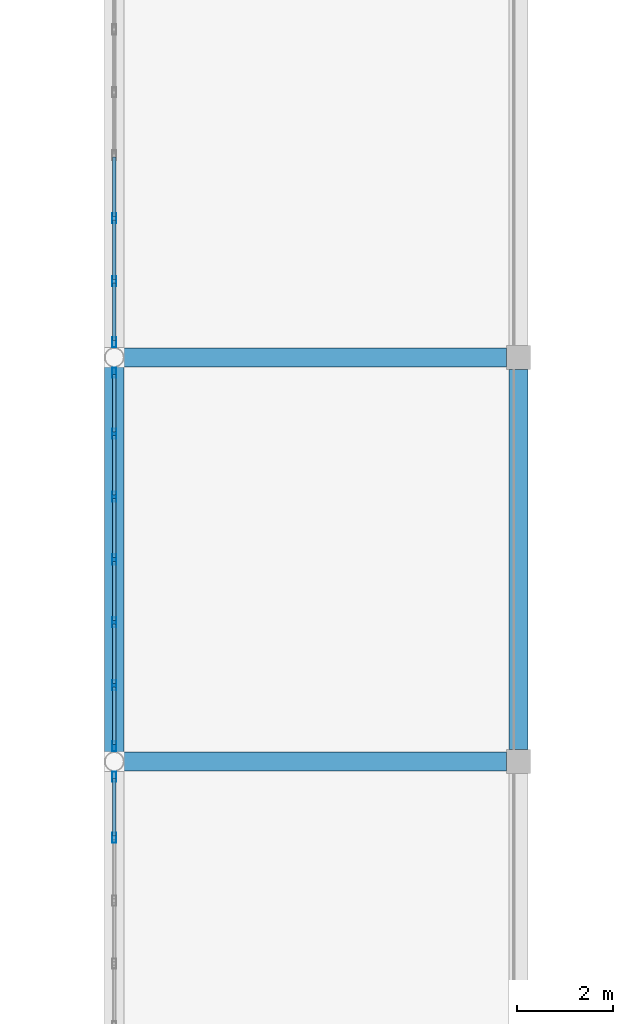
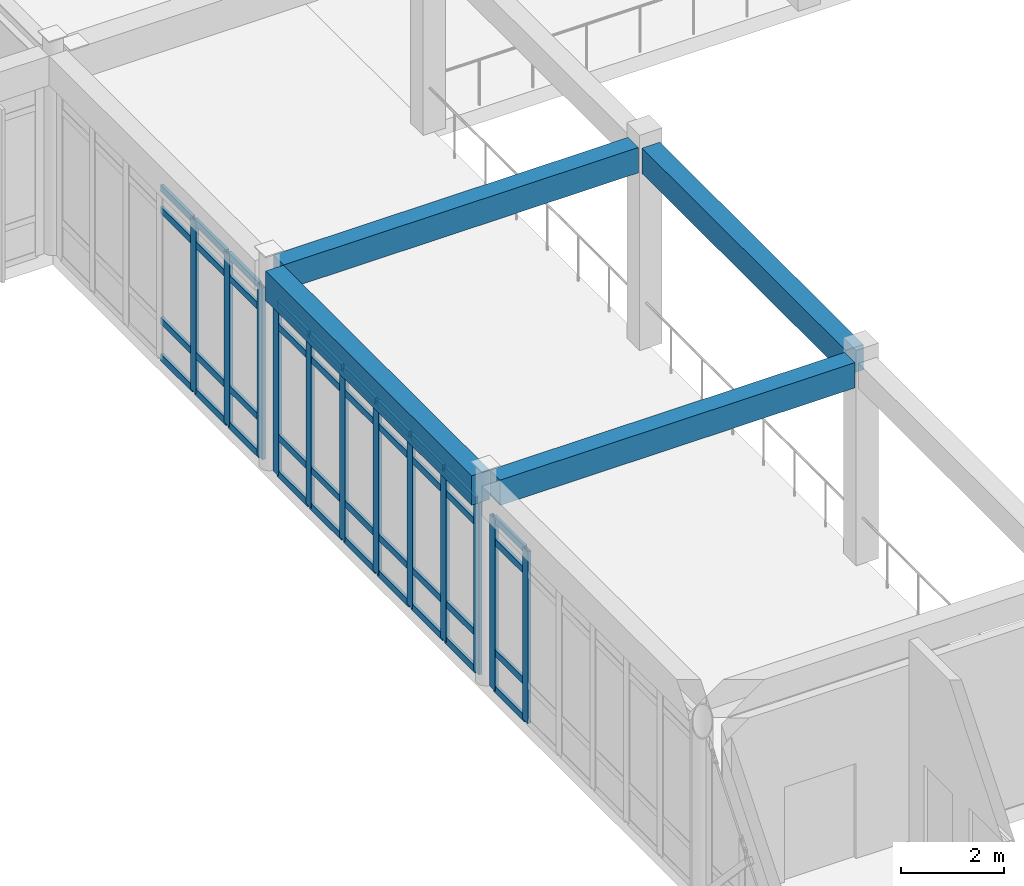
# One storey, part 14 of 134: 52 members, 4 beams, 3 elements without a shape of their own.
"""IFC4 building model written with IfcOpenShell, lengths in metres."""

from ifc_helpers import new_model, si_unit, direction, frame, origin, origin_2d, place, context, subcontext, project, spatial, rectangle, hollow_rectangle, extrude, material, layer, layer_set, material_profile, profile_set, type_object, element, aggregate, save


model = new_model("IFC4")

# Units and contexts
model_context = context("Model", 3, precision=1e-05, world=origin(), true_north=direction((0.0, 1.0)))
body_context = subcontext(model_context, "Body", "Model", "MODEL_VIEW")
ifc_project = project(units=[si_unit("LENGTHUNIT", "METRE"), si_unit("AREAUNIT", "SQUARE_METRE"), si_unit("VOLUMEUNIT", "CUBIC_METRE"), si_unit("PLANEANGLEUNIT", "RADIAN"), si_unit("MASSUNIT", "GRAM", prefix="KILO")], contexts=[model_context])

# Site, building, storey
site_placement = place(None, origin())
site = spatial("IfcSite", under=ifc_project, at=site_placement, CompositionType="ELEMENT")
building_placement = place(site_placement, origin())
building = spatial("IfcBuilding", under=site, at=building_placement, Name="Bramfleet General Hospital", CompositionType="ELEMENT")
storey_placement = place(building_placement, frame((0.0, 0.0, 9.300048828125)))
storey = spatial("IfcBuildingStorey", under=building, at=storey_placement, Name="L02", CompositionType="ELEMENT", Elevation=9.300048828125)

# Beams
ifc_material_1 = material(Name="Concrete C35/45", Category="concrete")
ifc_material_profile_1 = material_profile(ifc_material_1, rectangle(XDim=0.39990234375, YDim=0.60009765625, at=origin_2d()), Name="RC BM 600x400")
ifc_profile_set_1 = profile_set([ifc_material_profile_1], Name="Concrete C35/45")
beam_type_1 = type_object("IfcBeamType", Name="BM-RC600", PredefinedType="BEAM", material=ifc_profile_set_1)
for number, where, z_axis, x_axis, name in (
    (1, (50.603271484375, 33.60009765625, 4.47998046875), (1.0, 0.0, 0.0), (0.0, 1.0, 0.0), "L02 Grid Beam X 06-04"),
    (2, (50.603271484375, 42.0, 4.47998046875), (1.0, 0.0, 0.0), (0.0, 1.0, 0.0), "L02 Grid Beam X 06-05"),
):
    element("IfcBeam", number, at=place(storey_placement, frame(where, z_axis=z_axis, x_axis=x_axis)), inside=storey, type_object=beam_type_1, Name=name, PredefinedType="BEAM", context=body_context, shape_type="SweptSolid", body=[
        extrude(rectangle(XDim=0.39990234375, YDim=0.60009765625, at=origin_2d()), origin(), (0.0, 0.0, 1.0), 7.94677734375),
    ])
beam_1_placement = place(storey_placement, frame((58.800048828125, 33.85009765625, 4.47998046875), z_axis=(0.0, 1.0, 0.0), x_axis=(-1.0, 0.0, 0.0)))
element("IfcBeam", 3, at=beam_1_placement, inside=storey, type_object=beam_type_1, Name="L02 Grid Beam Y 07-04", PredefinedType="BEAM", context=body_context, shape_type="SweptSolid", body=[
    extrude(rectangle(XDim=0.39990234375, YDim=0.60009765625, at=origin_2d()), origin(), (0.0, 0.0, 1.0), 7.89990234375),
])
ifc_material_profile_2 = material_profile(ifc_material_1, rectangle(XDim=0.39990234375, YDim=0.699951171875, at=origin_2d()), Name="RC SP 700x400")
ifc_profile_set_2 = profile_set([ifc_material_profile_2], Name="Concrete C35/45")
beam_type_2 = type_object("IfcBeamType", Name="BM-SP700", PredefinedType="SPANDREL", material=ifc_profile_set_2)
beam_2_placement = place(storey_placement, frame((50.39990234375, 33.80322265625, 4.429931640625), z_axis=(0.0, 1.0, 0.0), x_axis=(-1.0, 0.0, 0.0)))
element("IfcBeam", 4, at=beam_2_placement, inside=storey, type_object=beam_type_2, Name="L02 Grid Beam Y 06-04", PredefinedType="SPANDREL", context=body_context, shape_type="SweptSolid", body=[
    extrude(rectangle(XDim=0.39990234375, YDim=0.699951171875, at=origin_2d()), origin(), (0.0, 0.0, 1.0), 7.99365234375),
])

# Curtain wall, members
ifc_material_2 = material(Name="Anodised aluminium and low-E triple glazing", Category="aluminium")
ifc_layer_1 = layer(ifc_material_2, 0.179931640625, Name="CWT-CW-09")
ifc_layer_set_1 = layer_set([ifc_layer_1], Name="Anodised aluminium and low-E triple glazing")
curtain_wall_type_1 = type_object("IfcCurtainWallType", Name="CWT-CW-09", PredefinedType="USERDEFINED", material=ifc_layer_set_1)
curtain_wall_1_placement = place(storey_placement, origin())
curtain_wall_1 = element("IfcCurtainWall", 5, at=curtain_wall_1_placement, inside=storey, type_object=curtain_wall_type_1, Name="L02 Curtain Wall 135", ObjectType="Unitised curtain wall", PredefinedType="USERDEFINED")
ifc_material_3 = material(Name="Anodised aluminium EN AW-6060", Category="aluminium")
ifc_material_profile_3 = material_profile(ifc_material_3, hollow_rectangle(XDim=0.074951171875, YDim=0.2099609375, WallThickness=0.00439453125, at=origin_2d()), Name="ALU 210x75x4.5")
ifc_profile_set_3 = profile_set([ifc_material_profile_3], Name="Anodised aluminium EN AW-6060")
member_type_1 = type_object("IfcMemberType", Name="CWM-ALU210", PredefinedType="MULLION", material=ifc_profile_set_3)
member_1_placement = place(storey_placement, frame((50.39990234375, 32.0146484375, 0.0), z_axis=(0.0, 0.0, 1.0), x_axis=(-1.0, 0.0, 0.0)))
member_1 = element("IfcMember", 6, at=member_1_placement, type_object=member_type_1, Name="CW-09 mullion 6", PredefinedType="MULLION", context=body_context, shape_type="SweptSolid", body=[
    extrude(hollow_rectangle(XDim=0.074951171875, YDim=0.2099609375, WallThickness=0.00439453125, at=origin_2d()), origin(), (0.0, 0.0, 1.0), 4.070068359375),
])
member_2_placement = place(storey_placement, frame((50.39990234375, 33.284423828125, 0.0), z_axis=(0.0, 0.0, 1.0), x_axis=(-1.0, 0.0, 0.0)))
member_2 = element("IfcMember", 7, at=member_2_placement, type_object=member_type_1, Name="CW-09 mullion 7", PredefinedType="MULLION", context=body_context, shape_type="SweptSolid", body=[
    extrude(hollow_rectangle(XDim=0.074951171875, YDim=0.2099609375, WallThickness=0.00439453125, at=origin_2d()), origin(), (0.0, 0.0, 1.0), 4.070068359375),
])

ifc_layer_2 = layer(ifc_material_2, 0.179931640625, Name="CWT-CW-10")
ifc_layer_set_2 = layer_set([ifc_layer_2], Name="Anodised aluminium and low-E triple glazing")
curtain_wall_type_2 = type_object("IfcCurtainWallType", Name="CWT-CW-10", PredefinedType="USERDEFINED", material=ifc_layer_set_2)
curtain_wall_2_placement = place(storey_placement, origin())
curtain_wall_2 = element("IfcCurtainWall", 8, at=curtain_wall_2_placement, inside=storey, type_object=curtain_wall_type_2, Name="L02 Curtain Wall 136", ObjectType="Stick curtain wall", PredefinedType="USERDEFINED")
member_3_placement = place(storey_placement, frame((50.39990234375, 33.91552734375, 0.0), z_axis=(0.0, 0.0, 1.0), x_axis=(-1.0, 0.0, 0.0)))
member_3 = element("IfcMember", 9, at=member_3_placement, type_object=member_type_1, Name="CW-10 mullion 1", PredefinedType="MULLION", context=body_context, shape_type="SweptSolid", body=[
    extrude(hollow_rectangle(XDim=0.074951171875, YDim=0.2099609375, WallThickness=0.00439453125, at=origin_2d()), origin(), (0.0, 0.0, 1.0), 4.070068359375),
])
member_4_placement = place(storey_placement, frame((50.39990234375, 35.185302734375, 0.0), z_axis=(0.0, 0.0, 1.0), x_axis=(-1.0, 0.0, 0.0)))
member_4 = element("IfcMember", 10, at=member_4_placement, type_object=member_type_1, Name="CW-10 mullion 2", PredefinedType="MULLION", context=body_context, shape_type="SweptSolid", body=[
    extrude(hollow_rectangle(XDim=0.074951171875, YDim=0.2099609375, WallThickness=0.00439453125, at=origin_2d()), origin(), (0.0, 0.0, 1.0), 4.070068359375),
])
member_5_placement = place(storey_placement, frame((50.39990234375, 36.49267578125, 0.0), z_axis=(0.0, 0.0, 1.0), x_axis=(-1.0, 0.0, 0.0)))
member_5 = element("IfcMember", 11, at=member_5_placement, type_object=member_type_1, Name="CW-10 mullion 3", PredefinedType="MULLION", context=body_context, shape_type="SweptSolid", body=[
    extrude(hollow_rectangle(XDim=0.074951171875, YDim=0.2099609375, WallThickness=0.00439453125, at=origin_2d()), origin(), (0.0, 0.0, 1.0), 4.070068359375),
])
member_6_placement = place(storey_placement, frame((50.39990234375, 37.800048828125, 0.0), z_axis=(0.0, 0.0, 1.0), x_axis=(-1.0, 0.0, 0.0)))
member_6 = element("IfcMember", 12, at=member_6_placement, type_object=member_type_1, Name="CW-10 mullion 4", PredefinedType="MULLION", context=body_context, shape_type="SweptSolid", body=[
    extrude(hollow_rectangle(XDim=0.074951171875, YDim=0.2099609375, WallThickness=0.00439453125, at=origin_2d()), origin(), (0.0, 0.0, 1.0), 4.070068359375),
])
member_7_placement = place(storey_placement, frame((50.39990234375, 39.107421875, 0.0), z_axis=(0.0, 0.0, 1.0), x_axis=(-1.0, 0.0, 0.0)))
member_7 = element("IfcMember", 13, at=member_7_placement, type_object=member_type_1, Name="CW-10 mullion 5", PredefinedType="MULLION", context=body_context, shape_type="SweptSolid", body=[
    extrude(hollow_rectangle(XDim=0.074951171875, YDim=0.2099609375, WallThickness=0.00439453125, at=origin_2d()), origin(), (0.0, 0.0, 1.0), 4.070068359375),
])
member_8_placement = place(storey_placement, frame((50.39990234375, 40.41455078125, 0.0), z_axis=(0.0, 0.0, 1.0), x_axis=(-1.0, 0.0, 0.0)))
member_8 = element("IfcMember", 14, at=member_8_placement, type_object=member_type_1, Name="CW-10 mullion 6", PredefinedType="MULLION", context=body_context, shape_type="SweptSolid", body=[
    extrude(hollow_rectangle(XDim=0.074951171875, YDim=0.2099609375, WallThickness=0.00439453125, at=origin_2d()), origin(), (0.0, 0.0, 1.0), 4.070068359375),
])
member_9_placement = place(storey_placement, frame((50.39990234375, 41.6845703125, 0.0), z_axis=(0.0, 0.0, 1.0), x_axis=(-1.0, 0.0, 0.0)))
member_9 = element("IfcMember", 15, at=member_9_placement, type_object=member_type_1, Name="CW-10 mullion 7", PredefinedType="MULLION", context=body_context, shape_type="SweptSolid", body=[
    extrude(hollow_rectangle(XDim=0.074951171875, YDim=0.2099609375, WallThickness=0.00439453125, at=origin_2d()), origin(), (0.0, 0.0, 1.0), 4.070068359375),
])

ifc_layer_3 = layer(ifc_material_2, 0.179931640625, Name="CWT-CW-11")
ifc_layer_set_3 = layer_set([ifc_layer_3], Name="Anodised aluminium and low-E triple glazing")
curtain_wall_type_3 = type_object("IfcCurtainWallType", Name="CWT-CW-11", PredefinedType="USERDEFINED", material=ifc_layer_set_3)
curtain_wall_3_placement = place(storey_placement, origin())
curtain_wall_3 = element("IfcCurtainWall", 16, at=curtain_wall_3_placement, inside=storey, type_object=curtain_wall_type_3, Name="L02 Curtain Wall 137", ObjectType="Stick curtain wall", PredefinedType="USERDEFINED")
member_10_placement = place(storey_placement, frame((50.39990234375, 42.3154296875, 0.0), z_axis=(0.0, 0.0, 1.0), x_axis=(-1.0, 0.0, 0.0)))
member_10 = element("IfcMember", 17, at=member_10_placement, type_object=member_type_1, Name="CW-11 mullion 1", PredefinedType="MULLION", context=body_context, shape_type="SweptSolid", body=[
    extrude(hollow_rectangle(XDim=0.074951171875, YDim=0.2099609375, WallThickness=0.00439453125, at=origin_2d()), origin(), (0.0, 0.0, 1.0), 4.070068359375),
])
member_11_placement = place(storey_placement, frame((50.39990234375, 43.58544921875, 0.0), z_axis=(0.0, 0.0, 1.0), x_axis=(-1.0, 0.0, 0.0)))
member_11 = element("IfcMember", 18, at=member_11_placement, type_object=member_type_1, Name="CW-11 mullion 2", PredefinedType="MULLION", context=body_context, shape_type="SweptSolid", body=[
    extrude(hollow_rectangle(XDim=0.074951171875, YDim=0.2099609375, WallThickness=0.00439453125, at=origin_2d()), origin(), (0.0, 0.0, 1.0), 4.070068359375),
])
member_12_placement = place(storey_placement, frame((50.39990234375, 44.892578125, 0.0), z_axis=(0.0, 0.0, 1.0), x_axis=(-1.0, 0.0, 0.0)))
member_12 = element("IfcMember", 19, at=member_12_placement, type_object=member_type_1, Name="CW-11 mullion 3", PredefinedType="MULLION", context=body_context, shape_type="SweptSolid", body=[
    extrude(hollow_rectangle(XDim=0.074951171875, YDim=0.2099609375, WallThickness=0.00439453125, at=origin_2d()), origin(), (0.0, 0.0, 1.0), 4.070068359375),
])

# Member
ifc_material_profile_4 = material_profile(ifc_material_3, hollow_rectangle(XDim=0.06494140625, YDim=0.159912109375, WallThickness=0.00390625, at=origin_2d()), Name="ALU 160x65x4.0")
ifc_profile_set_4 = profile_set([ifc_material_profile_4], Name="Anodised aluminium EN AW-6060")
member_type_2 = type_object("IfcMemberType", Name="CWT-ALU160", PredefinedType="USERDEFINED", material=ifc_profile_set_4)
member_13_placement = place(storey_placement, frame((50.39990234375, 32.05224609375, 0.032470703125), z_axis=(0.0, 1.0, 0.0), x_axis=(-1.0, 0.0, 0.0)))
member_13 = element("IfcMember", 20, at=member_13_placement, type_object=member_type_2, Name="CW-09 transom 6.1", ObjectType="TRANSOM", PredefinedType="USERDEFINED", context=body_context, shape_type="SweptSolid", body=[
    extrude(hollow_rectangle(XDim=0.06494140625, YDim=0.159912109375, WallThickness=0.00390625, at=origin_2d()), origin(), (0.0, 0.0, 1.0), 1.19482421875),
])

member_14_placement = place(storey_placement, frame((50.39990234375, 32.05224609375, 0.89990234375), z_axis=(0.0, 1.0, 0.0), x_axis=(-1.0, 0.0, 0.0)))
member_14 = element("IfcMember", 21, at=member_14_placement, type_object=member_type_2, Name="CW-09 transom 6.2", ObjectType="TRANSOM", PredefinedType="USERDEFINED", context=body_context, shape_type="SweptSolid", body=[
    extrude(hollow_rectangle(XDim=0.06494140625, YDim=0.159912109375, WallThickness=0.00390625, at=origin_2d()), origin(), (0.0, 0.0, 1.0), 1.19482421875),
])

member_15_placement = place(storey_placement, frame((50.39990234375, 32.05224609375, 3.52001953125), z_axis=(0.0, 1.0, 0.0), x_axis=(-1.0, 0.0, 0.0)))
member_15 = element("IfcMember", 22, at=member_15_placement, type_object=member_type_2, Name="CW-09 transom 6.3", ObjectType="TRANSOM", PredefinedType="USERDEFINED", context=body_context, shape_type="SweptSolid", body=[
    extrude(hollow_rectangle(XDim=0.06494140625, YDim=0.159912109375, WallThickness=0.00390625, at=origin_2d()), origin(), (0.0, 0.0, 1.0), 1.19482421875),
])

member_16_placement = place(storey_placement, frame((50.39990234375, 32.05224609375, 4.037353515625), z_axis=(0.0, 1.0, 0.0), x_axis=(-1.0, 0.0, 0.0)))
member_16 = element("IfcMember", 23, at=member_16_placement, type_object=member_type_2, Name="CW-09 transom 6.4", ObjectType="TRANSOM", PredefinedType="USERDEFINED", context=body_context, shape_type="SweptSolid", body=[
    extrude(hollow_rectangle(XDim=0.06494140625, YDim=0.159912109375, WallThickness=0.00390625, at=origin_2d()), origin(), (0.0, 0.0, 1.0), 1.19482421875),
])

aggregate(curtain_wall_1, [member_1, member_2, member_13, member_14, member_15, member_16])

member_17_placement = place(storey_placement, frame((50.39990234375, 33.952880859375, 0.032470703125), z_axis=(0.0, 1.0, 0.0), x_axis=(-1.0, 0.0, 0.0)))
member_17 = element("IfcMember", 24, at=member_17_placement, type_object=member_type_2, Name="CW-10 transom 1.1", ObjectType="TRANSOM", PredefinedType="USERDEFINED", context=body_context, shape_type="SweptSolid", body=[
    extrude(hollow_rectangle(XDim=0.06494140625, YDim=0.159912109375, WallThickness=0.00390625, at=origin_2d()), origin(), (0.0, 0.0, 1.0), 1.195068359375),
])

member_18_placement = place(storey_placement, frame((50.39990234375, 33.952880859375, 0.89990234375), z_axis=(0.0, 1.0, 0.0), x_axis=(-1.0, 0.0, 0.0)))
member_18 = element("IfcMember", 25, at=member_18_placement, type_object=member_type_2, Name="CW-10 transom 1.2", ObjectType="TRANSOM", PredefinedType="USERDEFINED", context=body_context, shape_type="SweptSolid", body=[
    extrude(hollow_rectangle(XDim=0.06494140625, YDim=0.159912109375, WallThickness=0.00390625, at=origin_2d()), origin(), (0.0, 0.0, 1.0), 1.195068359375),
])

member_19_placement = place(storey_placement, frame((50.39990234375, 33.952880859375, 3.52001953125), z_axis=(0.0, 1.0, 0.0), x_axis=(-1.0, 0.0, 0.0)))
member_19 = element("IfcMember", 26, at=member_19_placement, type_object=member_type_2, Name="CW-10 transom 1.3", ObjectType="TRANSOM", PredefinedType="USERDEFINED", context=body_context, shape_type="SweptSolid", body=[
    extrude(hollow_rectangle(XDim=0.06494140625, YDim=0.159912109375, WallThickness=0.00390625, at=origin_2d()), origin(), (0.0, 0.0, 1.0), 1.195068359375),
])

member_20_placement = place(storey_placement, frame((50.39990234375, 33.952880859375, 4.037353515625), z_axis=(0.0, 1.0, 0.0), x_axis=(-1.0, 0.0, 0.0)))
member_20 = element("IfcMember", 27, at=member_20_placement, type_object=member_type_2, Name="CW-10 transom 1.4", ObjectType="TRANSOM", PredefinedType="USERDEFINED", context=body_context, shape_type="SweptSolid", body=[
    extrude(hollow_rectangle(XDim=0.06494140625, YDim=0.159912109375, WallThickness=0.00390625, at=origin_2d()), origin(), (0.0, 0.0, 1.0), 1.195068359375),
])

member_21_placement = place(storey_placement, frame((50.39990234375, 35.222900390625, 0.032470703125), z_axis=(0.0, 1.0, 0.0), x_axis=(-1.0, 0.0, 0.0)))
member_21 = element("IfcMember", 28, at=member_21_placement, type_object=member_type_2, Name="CW-10 transom 2.1", ObjectType="TRANSOM", PredefinedType="USERDEFINED", context=body_context, shape_type="SweptSolid", body=[
    extrude(hollow_rectangle(XDim=0.06494140625, YDim=0.159912109375, WallThickness=0.00390625, at=origin_2d()), origin(), (0.0, 0.0, 1.0), 1.232177734375),
])

member_22_placement = place(storey_placement, frame((50.39990234375, 35.222900390625, 0.89990234375), z_axis=(0.0, 1.0, 0.0), x_axis=(-1.0, 0.0, 0.0)))
member_22 = element("IfcMember", 29, at=member_22_placement, type_object=member_type_2, Name="CW-10 transom 2.2", ObjectType="TRANSOM", PredefinedType="USERDEFINED", context=body_context, shape_type="SweptSolid", body=[
    extrude(hollow_rectangle(XDim=0.06494140625, YDim=0.159912109375, WallThickness=0.00390625, at=origin_2d()), origin(), (0.0, 0.0, 1.0), 1.232177734375),
])

member_23_placement = place(storey_placement, frame((50.39990234375, 35.222900390625, 3.52001953125), z_axis=(0.0, 1.0, 0.0), x_axis=(-1.0, 0.0, 0.0)))
member_23 = element("IfcMember", 30, at=member_23_placement, type_object=member_type_2, Name="CW-10 transom 2.3", ObjectType="TRANSOM", PredefinedType="USERDEFINED", context=body_context, shape_type="SweptSolid", body=[
    extrude(hollow_rectangle(XDim=0.06494140625, YDim=0.159912109375, WallThickness=0.00390625, at=origin_2d()), origin(), (0.0, 0.0, 1.0), 1.232177734375),
])

member_24_placement = place(storey_placement, frame((50.39990234375, 35.222900390625, 4.037353515625), z_axis=(0.0, 1.0, 0.0), x_axis=(-1.0, 0.0, 0.0)))
member_24 = element("IfcMember", 31, at=member_24_placement, type_object=member_type_2, Name="CW-10 transom 2.4", ObjectType="TRANSOM", PredefinedType="USERDEFINED", context=body_context, shape_type="SweptSolid", body=[
    extrude(hollow_rectangle(XDim=0.06494140625, YDim=0.159912109375, WallThickness=0.00390625, at=origin_2d()), origin(), (0.0, 0.0, 1.0), 1.232177734375),
])

member_25_placement = place(storey_placement, frame((50.39990234375, 36.5302734375, 0.032470703125), z_axis=(0.0, 1.0, 0.0), x_axis=(-1.0, 0.0, 0.0)))
member_25 = element("IfcMember", 32, at=member_25_placement, type_object=member_type_2, Name="CW-10 transom 3.1", ObjectType="TRANSOM", PredefinedType="USERDEFINED", context=body_context, shape_type="SweptSolid", body=[
    extrude(hollow_rectangle(XDim=0.06494140625, YDim=0.159912109375, WallThickness=0.00390625, at=origin_2d()), origin(), (0.0, 0.0, 1.0), 1.232177734375),
])

member_26_placement = place(storey_placement, frame((50.39990234375, 36.5302734375, 0.89990234375), z_axis=(0.0, 1.0, 0.0), x_axis=(-1.0, 0.0, 0.0)))
member_26 = element("IfcMember", 33, at=member_26_placement, type_object=member_type_2, Name="CW-10 transom 3.2", ObjectType="TRANSOM", PredefinedType="USERDEFINED", context=body_context, shape_type="SweptSolid", body=[
    extrude(hollow_rectangle(XDim=0.06494140625, YDim=0.159912109375, WallThickness=0.00390625, at=origin_2d()), origin(), (0.0, 0.0, 1.0), 1.232177734375),
])

member_27_placement = place(storey_placement, frame((50.39990234375, 36.5302734375, 3.52001953125), z_axis=(0.0, 1.0, 0.0), x_axis=(-1.0, 0.0, 0.0)))
member_27 = element("IfcMember", 34, at=member_27_placement, type_object=member_type_2, Name="CW-10 transom 3.3", ObjectType="TRANSOM", PredefinedType="USERDEFINED", context=body_context, shape_type="SweptSolid", body=[
    extrude(hollow_rectangle(XDim=0.06494140625, YDim=0.159912109375, WallThickness=0.00390625, at=origin_2d()), origin(), (0.0, 0.0, 1.0), 1.232177734375),
])

member_28_placement = place(storey_placement, frame((50.39990234375, 36.5302734375, 4.037353515625), z_axis=(0.0, 1.0, 0.0), x_axis=(-1.0, 0.0, 0.0)))
member_28 = element("IfcMember", 35, at=member_28_placement, type_object=member_type_2, Name="CW-10 transom 3.4", ObjectType="TRANSOM", PredefinedType="USERDEFINED", context=body_context, shape_type="SweptSolid", body=[
    extrude(hollow_rectangle(XDim=0.06494140625, YDim=0.159912109375, WallThickness=0.00390625, at=origin_2d()), origin(), (0.0, 0.0, 1.0), 1.232177734375),
])

member_29_placement = place(storey_placement, frame((50.39990234375, 37.83740234375, 0.032470703125), z_axis=(0.0, 1.0, 0.0), x_axis=(-1.0, 0.0, 0.0)))
member_29 = element("IfcMember", 36, at=member_29_placement, type_object=member_type_2, Name="CW-10 transom 4.1", ObjectType="TRANSOM", PredefinedType="USERDEFINED", context=body_context, shape_type="SweptSolid", body=[
    extrude(hollow_rectangle(XDim=0.06494140625, YDim=0.159912109375, WallThickness=0.00390625, at=origin_2d()), origin(), (0.0, 0.0, 1.0), 1.232421875),
])

member_30_placement = place(storey_placement, frame((50.39990234375, 37.83740234375, 0.89990234375), z_axis=(0.0, 1.0, 0.0), x_axis=(-1.0, 0.0, 0.0)))
member_30 = element("IfcMember", 37, at=member_30_placement, type_object=member_type_2, Name="CW-10 transom 4.2", ObjectType="TRANSOM", PredefinedType="USERDEFINED", context=body_context, shape_type="SweptSolid", body=[
    extrude(hollow_rectangle(XDim=0.06494140625, YDim=0.159912109375, WallThickness=0.00390625, at=origin_2d()), origin(), (0.0, 0.0, 1.0), 1.232421875),
])

member_31_placement = place(storey_placement, frame((50.39990234375, 37.83740234375, 3.52001953125), z_axis=(0.0, 1.0, 0.0), x_axis=(-1.0, 0.0, 0.0)))
member_31 = element("IfcMember", 38, at=member_31_placement, type_object=member_type_2, Name="CW-10 transom 4.3", ObjectType="TRANSOM", PredefinedType="USERDEFINED", context=body_context, shape_type="SweptSolid", body=[
    extrude(hollow_rectangle(XDim=0.06494140625, YDim=0.159912109375, WallThickness=0.00390625, at=origin_2d()), origin(), (0.0, 0.0, 1.0), 1.232421875),
])

member_32_placement = place(storey_placement, frame((50.39990234375, 37.83740234375, 4.037353515625), z_axis=(0.0, 1.0, 0.0), x_axis=(-1.0, 0.0, 0.0)))
member_32 = element("IfcMember", 39, at=member_32_placement, type_object=member_type_2, Name="CW-10 transom 4.4", ObjectType="TRANSOM", PredefinedType="USERDEFINED", context=body_context, shape_type="SweptSolid", body=[
    extrude(hollow_rectangle(XDim=0.06494140625, YDim=0.159912109375, WallThickness=0.00390625, at=origin_2d()), origin(), (0.0, 0.0, 1.0), 1.232421875),
])

member_33_placement = place(storey_placement, frame((50.39990234375, 39.144775390625, 0.032470703125), z_axis=(0.0, 1.0, 0.0), x_axis=(-1.0, 0.0, 0.0)))
member_33 = element("IfcMember", 40, at=member_33_placement, type_object=member_type_2, Name="CW-10 transom 5.1", ObjectType="TRANSOM", PredefinedType="USERDEFINED", context=body_context, shape_type="SweptSolid", body=[
    extrude(hollow_rectangle(XDim=0.06494140625, YDim=0.159912109375, WallThickness=0.00390625, at=origin_2d()), origin(), (0.0, 0.0, 1.0), 1.232421875),
])

member_34_placement = place(storey_placement, frame((50.39990234375, 39.144775390625, 0.89990234375), z_axis=(0.0, 1.0, 0.0), x_axis=(-1.0, 0.0, 0.0)))
member_34 = element("IfcMember", 41, at=member_34_placement, type_object=member_type_2, Name="CW-10 transom 5.2", ObjectType="TRANSOM", PredefinedType="USERDEFINED", context=body_context, shape_type="SweptSolid", body=[
    extrude(hollow_rectangle(XDim=0.06494140625, YDim=0.159912109375, WallThickness=0.00390625, at=origin_2d()), origin(), (0.0, 0.0, 1.0), 1.232421875),
])

member_35_placement = place(storey_placement, frame((50.39990234375, 39.144775390625, 3.52001953125), z_axis=(0.0, 1.0, 0.0), x_axis=(-1.0, 0.0, 0.0)))
member_35 = element("IfcMember", 42, at=member_35_placement, type_object=member_type_2, Name="CW-10 transom 5.3", ObjectType="TRANSOM", PredefinedType="USERDEFINED", context=body_context, shape_type="SweptSolid", body=[
    extrude(hollow_rectangle(XDim=0.06494140625, YDim=0.159912109375, WallThickness=0.00390625, at=origin_2d()), origin(), (0.0, 0.0, 1.0), 1.232421875),
])

member_36_placement = place(storey_placement, frame((50.39990234375, 39.144775390625, 4.037353515625), z_axis=(0.0, 1.0, 0.0), x_axis=(-1.0, 0.0, 0.0)))
member_36 = element("IfcMember", 43, at=member_36_placement, type_object=member_type_2, Name="CW-10 transom 5.4", ObjectType="TRANSOM", PredefinedType="USERDEFINED", context=body_context, shape_type="SweptSolid", body=[
    extrude(hollow_rectangle(XDim=0.06494140625, YDim=0.159912109375, WallThickness=0.00390625, at=origin_2d()), origin(), (0.0, 0.0, 1.0), 1.232421875),
])

member_37_placement = place(storey_placement, frame((50.39990234375, 40.4521484375, 0.032470703125), z_axis=(0.0, 1.0, 0.0), x_axis=(-1.0, 0.0, 0.0)))
member_37 = element("IfcMember", 44, at=member_37_placement, type_object=member_type_2, Name="CW-10 transom 6.1", ObjectType="TRANSOM", PredefinedType="USERDEFINED", context=body_context, shape_type="SweptSolid", body=[
    extrude(hollow_rectangle(XDim=0.06494140625, YDim=0.159912109375, WallThickness=0.00390625, at=origin_2d()), origin(), (0.0, 0.0, 1.0), 1.19482421875),
])

member_38_placement = place(storey_placement, frame((50.39990234375, 40.4521484375, 0.89990234375), z_axis=(0.0, 1.0, 0.0), x_axis=(-1.0, 0.0, 0.0)))
member_38 = element("IfcMember", 45, at=member_38_placement, type_object=member_type_2, Name="CW-10 transom 6.2", ObjectType="TRANSOM", PredefinedType="USERDEFINED", context=body_context, shape_type="SweptSolid", body=[
    extrude(hollow_rectangle(XDim=0.06494140625, YDim=0.159912109375, WallThickness=0.00390625, at=origin_2d()), origin(), (0.0, 0.0, 1.0), 1.19482421875),
])

member_39_placement = place(storey_placement, frame((50.39990234375, 40.4521484375, 3.52001953125), z_axis=(0.0, 1.0, 0.0), x_axis=(-1.0, 0.0, 0.0)))
member_39 = element("IfcMember", 46, at=member_39_placement, type_object=member_type_2, Name="CW-10 transom 6.3", ObjectType="TRANSOM", PredefinedType="USERDEFINED", context=body_context, shape_type="SweptSolid", body=[
    extrude(hollow_rectangle(XDim=0.06494140625, YDim=0.159912109375, WallThickness=0.00390625, at=origin_2d()), origin(), (0.0, 0.0, 1.0), 1.19482421875),
])

member_40_placement = place(storey_placement, frame((50.39990234375, 40.4521484375, 4.037353515625), z_axis=(0.0, 1.0, 0.0), x_axis=(-1.0, 0.0, 0.0)))
member_40 = element("IfcMember", 47, at=member_40_placement, type_object=member_type_2, Name="CW-10 transom 6.4", ObjectType="TRANSOM", PredefinedType="USERDEFINED", context=body_context, shape_type="SweptSolid", body=[
    extrude(hollow_rectangle(XDim=0.06494140625, YDim=0.159912109375, WallThickness=0.00390625, at=origin_2d()), origin(), (0.0, 0.0, 1.0), 1.19482421875),
])

aggregate(curtain_wall_2, [member_3, member_4, member_5, member_6, member_7, member_8, member_9, member_17, member_18, member_19, member_20, member_21, member_22, member_23, member_24, member_25, member_26, member_27, member_28, member_29, member_30, member_31, member_32, member_33, member_34, member_35, member_36, member_37, member_38, member_39, member_40])

member_41_placement = place(storey_placement, frame((50.39990234375, 42.35302734375, 0.032470703125), z_axis=(0.0, 1.0, 0.0), x_axis=(-1.0, 0.0, 0.0)))
member_41 = element("IfcMember", 48, at=member_41_placement, type_object=member_type_2, Name="CW-11 transom 1.1", ObjectType="TRANSOM", PredefinedType="USERDEFINED", context=body_context, shape_type="SweptSolid", body=[
    extrude(hollow_rectangle(XDim=0.06494140625, YDim=0.159912109375, WallThickness=0.00390625, at=origin_2d()), origin(), (0.0, 0.0, 1.0), 1.19482421875),
])

member_42_placement = place(storey_placement, frame((50.39990234375, 42.35302734375, 0.89990234375), z_axis=(0.0, 1.0, 0.0), x_axis=(-1.0, 0.0, 0.0)))
member_42 = element("IfcMember", 49, at=member_42_placement, type_object=member_type_2, Name="CW-11 transom 1.2", ObjectType="TRANSOM", PredefinedType="USERDEFINED", context=body_context, shape_type="SweptSolid", body=[
    extrude(hollow_rectangle(XDim=0.06494140625, YDim=0.159912109375, WallThickness=0.00390625, at=origin_2d()), origin(), (0.0, 0.0, 1.0), 1.19482421875),
])

member_43_placement = place(storey_placement, frame((50.39990234375, 42.35302734375, 3.52001953125), z_axis=(0.0, 1.0, 0.0), x_axis=(-1.0, 0.0, 0.0)))
member_43 = element("IfcMember", 50, at=member_43_placement, type_object=member_type_2, Name="CW-11 transom 1.3", ObjectType="TRANSOM", PredefinedType="USERDEFINED", context=body_context, shape_type="SweptSolid", body=[
    extrude(hollow_rectangle(XDim=0.06494140625, YDim=0.159912109375, WallThickness=0.00390625, at=origin_2d()), origin(), (0.0, 0.0, 1.0), 1.19482421875),
])

member_44_placement = place(storey_placement, frame((50.39990234375, 42.35302734375, 4.037353515625), z_axis=(0.0, 1.0, 0.0), x_axis=(-1.0, 0.0, 0.0)))
member_44 = element("IfcMember", 51, at=member_44_placement, type_object=member_type_2, Name="CW-11 transom 1.4", ObjectType="TRANSOM", PredefinedType="USERDEFINED", context=body_context, shape_type="SweptSolid", body=[
    extrude(hollow_rectangle(XDim=0.06494140625, YDim=0.159912109375, WallThickness=0.00390625, at=origin_2d()), origin(), (0.0, 0.0, 1.0), 1.19482421875),
])

member_45_placement = place(storey_placement, frame((50.39990234375, 43.622802734375, 0.032470703125), z_axis=(0.0, 1.0, 0.0), x_axis=(-1.0, 0.0, 0.0)))
member_45 = element("IfcMember", 52, at=member_45_placement, type_object=member_type_2, Name="CW-11 transom 2.1", ObjectType="TRANSOM", PredefinedType="USERDEFINED", context=body_context, shape_type="SweptSolid", body=[
    extrude(hollow_rectangle(XDim=0.06494140625, YDim=0.159912109375, WallThickness=0.00390625, at=origin_2d()), origin(), (0.0, 0.0, 1.0), 1.232421875),
])

member_46_placement = place(storey_placement, frame((50.39990234375, 43.622802734375, 0.89990234375), z_axis=(0.0, 1.0, 0.0), x_axis=(-1.0, 0.0, 0.0)))
member_46 = element("IfcMember", 53, at=member_46_placement, type_object=member_type_2, Name="CW-11 transom 2.2", ObjectType="TRANSOM", PredefinedType="USERDEFINED", context=body_context, shape_type="SweptSolid", body=[
    extrude(hollow_rectangle(XDim=0.06494140625, YDim=0.159912109375, WallThickness=0.00390625, at=origin_2d()), origin(), (0.0, 0.0, 1.0), 1.232421875),
])

member_47_placement = place(storey_placement, frame((50.39990234375, 43.622802734375, 3.52001953125), z_axis=(0.0, 1.0, 0.0), x_axis=(-1.0, 0.0, 0.0)))
member_47 = element("IfcMember", 54, at=member_47_placement, type_object=member_type_2, Name="CW-11 transom 2.3", ObjectType="TRANSOM", PredefinedType="USERDEFINED", context=body_context, shape_type="SweptSolid", body=[
    extrude(hollow_rectangle(XDim=0.06494140625, YDim=0.159912109375, WallThickness=0.00390625, at=origin_2d()), origin(), (0.0, 0.0, 1.0), 1.232421875),
])

member_48_placement = place(storey_placement, frame((50.39990234375, 43.622802734375, 4.037353515625), z_axis=(0.0, 1.0, 0.0), x_axis=(-1.0, 0.0, 0.0)))
member_48 = element("IfcMember", 55, at=member_48_placement, type_object=member_type_2, Name="CW-11 transom 2.4", ObjectType="TRANSOM", PredefinedType="USERDEFINED", context=body_context, shape_type="SweptSolid", body=[
    extrude(hollow_rectangle(XDim=0.06494140625, YDim=0.159912109375, WallThickness=0.00390625, at=origin_2d()), origin(), (0.0, 0.0, 1.0), 1.232421875),
])

member_49_placement = place(storey_placement, frame((50.39990234375, 44.93017578125, 0.032470703125), z_axis=(0.0, 1.0, 0.0), x_axis=(-1.0, 0.0, 0.0)))
member_49 = element("IfcMember", 56, at=member_49_placement, type_object=member_type_2, Name="CW-11 transom 3.1", ObjectType="TRANSOM", PredefinedType="USERDEFINED", context=body_context, shape_type="SweptSolid", body=[
    extrude(hollow_rectangle(XDim=0.06494140625, YDim=0.159912109375, WallThickness=0.00390625, at=origin_2d()), origin(), (0.0, 0.0, 1.0), 1.232421875),
])

member_50_placement = place(storey_placement, frame((50.39990234375, 44.93017578125, 0.89990234375), z_axis=(0.0, 1.0, 0.0), x_axis=(-1.0, 0.0, 0.0)))
member_50 = element("IfcMember", 57, at=member_50_placement, type_object=member_type_2, Name="CW-11 transom 3.2", ObjectType="TRANSOM", PredefinedType="USERDEFINED", context=body_context, shape_type="SweptSolid", body=[
    extrude(hollow_rectangle(XDim=0.06494140625, YDim=0.159912109375, WallThickness=0.00390625, at=origin_2d()), origin(), (0.0, 0.0, 1.0), 1.232421875),
])

member_51_placement = place(storey_placement, frame((50.39990234375, 44.93017578125, 3.52001953125), z_axis=(0.0, 1.0, 0.0), x_axis=(-1.0, 0.0, 0.0)))
member_51 = element("IfcMember", 58, at=member_51_placement, type_object=member_type_2, Name="CW-11 transom 3.3", ObjectType="TRANSOM", PredefinedType="USERDEFINED", context=body_context, shape_type="SweptSolid", body=[
    extrude(hollow_rectangle(XDim=0.06494140625, YDim=0.159912109375, WallThickness=0.00390625, at=origin_2d()), origin(), (0.0, 0.0, 1.0), 1.232421875),
])

member_52_placement = place(storey_placement, frame((50.39990234375, 44.93017578125, 4.037353515625), z_axis=(0.0, 1.0, 0.0), x_axis=(-1.0, 0.0, 0.0)))
member_52 = element("IfcMember", 59, at=member_52_placement, type_object=member_type_2, Name="CW-11 transom 3.4", ObjectType="TRANSOM", PredefinedType="USERDEFINED", context=body_context, shape_type="SweptSolid", body=[
    extrude(hollow_rectangle(XDim=0.06494140625, YDim=0.159912109375, WallThickness=0.00390625, at=origin_2d()), origin(), (0.0, 0.0, 1.0), 1.232421875),
])

aggregate(curtain_wall_3, [member_10, member_11, member_12, member_41, member_42, member_43, member_44, member_45, member_46, member_47, member_48, member_49, member_50, member_51, member_52])

save(model, "model.ifc")
